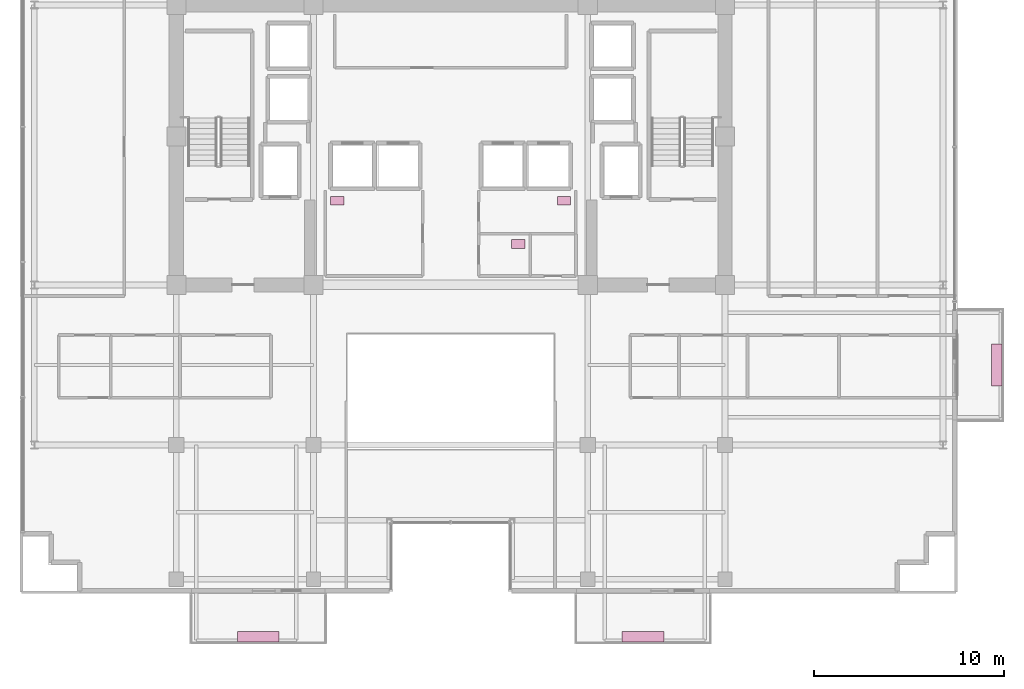
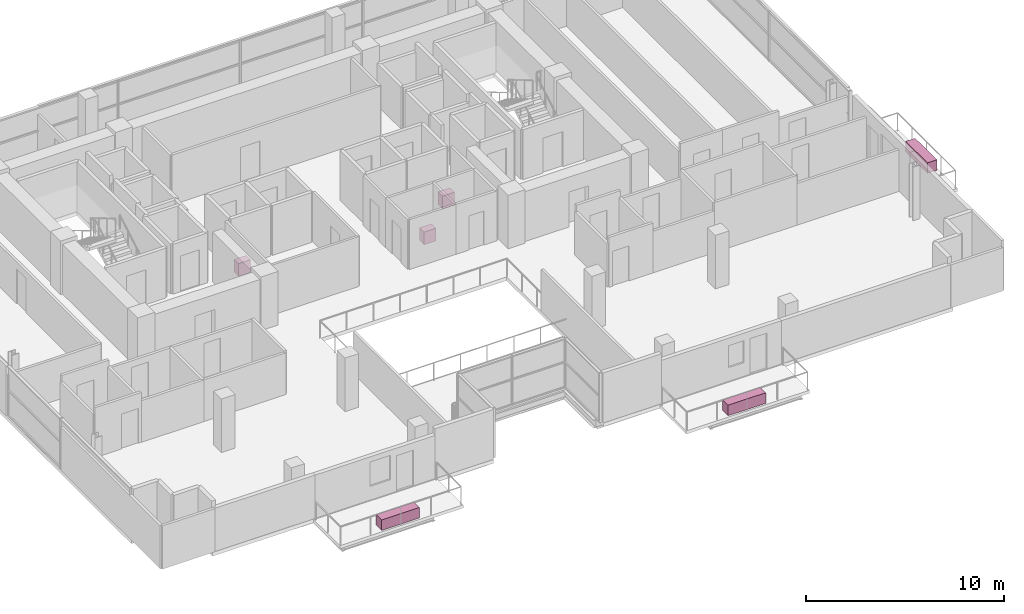
# One storey, part 21 of 21: 6 furnishings.
"""IFC4 building model written with IfcOpenShell, lengths in metres."""

import ifcopenshell
import ifcopenshell.guid

model = None  # the IFC model being written
_history = None  # IfcOwnerHistory: only IFC2X3 demands one
_inside = {}  # id of a spatial element -> (the spatial element, [elements in it])
_under = {}  # id of a project, library or spatial element -> (it, [spatial elements below it])
_declared = {}  # id of a project -> (the project, [libraries it declares])
_typed = {}  # id of a type object -> (the type object, [elements of that type])
_made_of = {}  # id of a material, layer set ... -> (it, [elements and type objects made of it])


def new_model(schema):
    """Start an empty IFC model of exactly this schema.

    Asked for "IFC4X3", IfcOpenShell would pick the latest addendum, in which some entities
    have other attributes; the version numbers below select the first issue.
    IFC2X3 requires an IfcOwnerHistory on every rooted entity: one is made here for all.
    """
    global model, _history
    if schema == "IFC4X3":
        model = ifcopenshell.file(schema_version=(4, 3, 0, 0))
    else:
        model = ifcopenshell.file(schema=schema)
    _inside.clear()
    _under.clear()
    _declared.clear()
    _typed.clear()
    _made_of.clear()
    _history = None
    if model.schema == "IFC2X3":
        org = make("IfcOrganization", Name="unknown")
        user = make(
            "IfcPersonAndOrganization",
            ThePerson=make("IfcPerson", FamilyName="unknown"),
            TheOrganization=org,
        )
        app = make(
            "IfcApplication",
            ApplicationDeveloper=org,
            Version="unknown",
            ApplicationFullName="unknown",
            ApplicationIdentifier="unknown",
        )
        _history = make(
            "IfcOwnerHistory",
            OwningUser=user,
            OwningApplication=app,
            ChangeAction="ADDED",
            CreationDate=0,
        )
    return model


def make(cls, **values):
    """One entity of the class cls with the attributes given. An attribute that is None is left unset."""
    return model.create_entity(
        cls, **{name: value for name, value in values.items() if value is not None}
    )


def rooted(cls, **values):
    """An entity with a GlobalId (a new one), such as an element, a storey or a relation."""
    return make(cls, GlobalId=ifcopenshell.guid.new(), OwnerHistory=_history, **values)


def si_unit(unit_type, name, prefix=None):
    """IfcSIUnit, for example si_unit("LENGTHUNIT", "METRE", prefix="MILLI")."""
    return make("IfcSIUnit", UnitType=unit_type, Prefix=prefix, Name=name)


def assignment(units):
    """IfcUnitAssignment: the units of a project."""
    return None if units is None else make("IfcUnitAssignment", Units=units)


def point(xyz):
    """IfcCartesianPoint."""
    return None if xyz is None else make("IfcCartesianPoint", Coordinates=xyz)


def direction(xyz):
    """IfcDirection."""
    return None if xyz is None else make("IfcDirection", DirectionRatios=xyz)


def frame(location, z_axis=None, x_axis=None):
    """IfcAxis2Placement3D, a coordinate frame: its origin and axes. An axis left out is left unset."""
    return make(
        "IfcAxis2Placement3D",
        Location=point(location),
        Axis=direction(z_axis),
        RefDirection=direction(x_axis),
    )


def frame_2d(location, x_axis=None):
    """IfcAxis2Placement2D, a coordinate frame in the plane: its origin and x axis."""
    return make(
        "IfcAxis2Placement2D", Location=point(location), RefDirection=direction(x_axis)
    )


def origin():
    """The frame at (0, 0, 0) with its axes left unset."""
    return frame((0.0, 0.0, 0.0))


def origin_2d():
    """The frame at (0, 0) in the plane with its x axis left unset."""
    return frame_2d((0.0, 0.0))


def place(relative_to, where):
    """IfcLocalPlacement: puts the frame where relative to a parent placement (None: the world)."""
    return make(
        "IfcLocalPlacement", PlacementRelTo=relative_to, RelativePlacement=where
    )


def context(
    kind, dimensions, precision=None, world=None, true_north=None, identifier=None
):
    """IfcGeometricRepresentationContext, for example the 3D "Model" context."""
    return make(
        "IfcGeometricRepresentationContext",
        ContextIdentifier=identifier,
        ContextType=kind,
        CoordinateSpaceDimension=dimensions,
        Precision=precision,
        WorldCoordinateSystem=world,
        TrueNorth=true_north,
    )


def subcontext(parent, identifier, kind, view, scale=None):
    """IfcGeometricRepresentationSubContext, for example "Body" below "Model"."""
    return make(
        "IfcGeometricRepresentationSubContext",
        ContextIdentifier=identifier,
        ContextType=kind,
        ParentContext=parent,
        TargetScale=scale,
        TargetView=view,
    )


def project(units=None, contexts=None):
    """IfcProject with its units and contexts."""
    return rooted(
        "IfcProject",
        Name="project",
        RepresentationContexts=contexts,
        UnitsInContext=assignment(units),
    )


def spatial(cls, under=None, at=None, **own):
    """A site, building, storey or space (cls), placed at a placement, below another one or the project."""
    s = rooted(cls, ObjectPlacement=at, **own)
    if under is not None:
        _under.setdefault(under.id(), (under, []))[1].append(s)
    return s


def profile(cls, at=None, kind="AREA", **sizes):
    """A parametric profile (cls). Its sizes go by their IFC names, for example OverallWidth=200.0."""
    return make(cls, ProfileType=kind, Position=at, **sizes)


def rectangle(**sizes):
    """IfcRectangleProfileDef."""
    return profile("IfcRectangleProfileDef", **sizes)


def extrude(swept, where, along, depth):
    """IfcExtrudedAreaSolid: the profile swept, set in the frame where, extruded along a direction by depth."""
    return make(
        "IfcExtrudedAreaSolid",
        SweptArea=swept,
        Position=where,
        ExtrudedDirection=direction(along),
        Depth=depth,
    )


def shape(context_of_items, identifier, shape_type, items):
    """IfcShapeRepresentation: the items that make up one representation, for example the "Body"."""
    return make(
        "IfcShapeRepresentation",
        ContextOfItems=context_of_items,
        RepresentationIdentifier=identifier,
        RepresentationType=shape_type,
        Items=items,
    )


def source(mapping_origin, context_of_items, identifier, shape_type, items):
    """IfcRepresentationMap: a shape defined once, which mapped items show again and again."""
    return make(
        "IfcRepresentationMap",
        MappingOrigin=mapping_origin,
        MappedRepresentation=shape(context_of_items, identifier, shape_type, items),
    )


def transform(
    local_origin,
    x_axis=None,
    y_axis=None,
    z_axis=None,
    scale=None,
    scale2=None,
    scale3=None,
    uniform=True,
):
    """IfcCartesianTransformationOperator3D, or its non-uniform kind. x_axis, y_axis, z_axis: its Axis1, 2, 3."""
    if uniform:
        return make(
            "IfcCartesianTransformationOperator3D",
            Axis1=direction(x_axis),
            Axis2=direction(y_axis),
            LocalOrigin=point(local_origin),
            Scale=scale,
            Axis3=direction(z_axis),
        )
    return make(
        "IfcCartesianTransformationOperator3DnonUniform",
        Axis1=direction(x_axis),
        Axis2=direction(y_axis),
        LocalOrigin=point(local_origin),
        Scale=scale,
        Axis3=direction(z_axis),
        Scale2=scale2,
        Scale3=scale3,
    )


def mapped(mapping_source, mapping_target):
    """IfcMappedItem: shows the shape of a source again, moved by a transform."""
    return make(
        "IfcMappedItem", MappingSource=mapping_source, MappingTarget=mapping_target
    )


def material(Name=None, Category=None):
    """IfcMaterial."""
    return make("IfcMaterial", Name=Name, Category=Category)


def made_of(thing, what):
    """Note that an element or type object is made of a material, layer set ...; save() writes the relation."""
    if what is not None:
        _made_of.setdefault(what.id(), (what, []))[1].append(thing)
    return thing


def type_object(cls, material=None, **own):
    """A type object (cls), such as IfcWallType, which elements share."""
    return made_of(rooted(cls, **own), material)


def element(
    cls,
    number,
    at=None,
    inside=None,
    cuts=None,
    type_object=None,
    material=None,
    context=None,
    identifier="Body",
    shape_type=None,
    held_by="IfcProductDefinitionShape",
    body=None,
    shapes=None,
    **own,
):
    """One element of the class cls, such as IfcWall. Its Tag is "e" and its number.

    at: its placement. inside: the storey or other place that contains it. cuts: it is an
    opening in that element (IfcRelVoidsElement). A single representation is given by context,
    identifier, shape_type and body (its items); several are given by shapes. held_by: the class
    of the entity that holds the representations. save() writes the other relations.
    """
    e = rooted(cls, Tag="e%d" % number, ObjectPlacement=at, **own)
    if body is not None:
        shapes = [shape(context, identifier, shape_type, body)]
    if shapes is not None:
        e.Representation = make(held_by, Representations=shapes)
    if inside is not None:
        _inside.setdefault(inside.id(), (inside, []))[1].append(e)
    if cuts is not None:
        rooted(
            "IfcRelVoidsElement", RelatingBuildingElement=cuts, RelatedOpeningElement=e
        )
    if type_object is not None:
        _typed.setdefault(type_object.id(), (type_object, []))[1].append(e)
    return made_of(e, material)


def aggregate(whole, parts):
    """IfcRelAggregates: a whole, such as a stair, and the parts it consists of."""
    return rooted("IfcRelAggregates", RelatingObject=whole, RelatedObjects=parts)


def save(model, path):
    """Write the relations noted so far, then the file.

    IfcRelAggregates (storeys below a building ...), IfcRelContainedInSpatialStructure (elements
    in a storey), IfcRelDefinesByType, IfcRelAssociatesMaterial and IfcRelDeclares: one each for
    every whole, place, type object, material and project.
    """
    for whole, parts in _under.values():
        aggregate(whole, parts)
    for where, things in _inside.values():
        rooted(
            "IfcRelContainedInSpatialStructure",
            RelatedElements=things,
            RelatingStructure=where,
        )
    for kind, things in _typed.values():
        rooted("IfcRelDefinesByType", RelatedObjects=things, RelatingType=kind)
    for what, things in _made_of.values():
        rooted("IfcRelAssociatesMaterial", RelatedObjects=things, RelatingMaterial=what)
    for by, libraries in _declared.values():
        rooted("IfcRelDeclares", RelatingContext=by, RelatedDefinitions=libraries)
    model.write(path)


model = new_model("IFC4")

# Units and contexts
model_context = context("Model", 3, precision=1e-05, world=origin(), true_north=direction((0.0, 1.0)))
body_context = subcontext(model_context, "Body", "Model", "MODEL_VIEW")
ifc_project = project(units=[si_unit("LENGTHUNIT", "METRE"), si_unit("AREAUNIT", "SQUARE_METRE"), si_unit("VOLUMEUNIT", "CUBIC_METRE"), si_unit("PLANEANGLEUNIT", "RADIAN"), si_unit("MASSUNIT", "GRAM", prefix="KILO")], contexts=[model_context])

# Site, building, storey
site_placement = place(None, origin())
site = spatial("IfcSite", under=ifc_project, at=site_placement, CompositionType="ELEMENT")
building_placement = place(site_placement, origin())
building = spatial("IfcBuilding", under=site, at=building_placement, Name="Zarnakvel Exchange Tower", CompositionType="ELEMENT")
storey_placement = place(building_placement, frame((0.0, 0.0, 182.5)))
storey = spatial("IfcBuildingStorey", under=building, at=storey_placement, Name="L51", CompositionType="ELEMENT", Elevation=182.5)

# Furnishings
ifc_material_1 = material(Name="Architectural Bronze Anodised Aluminium", Category="aluminium")
furnishing_element_type_1 = type_object("IfcFurnishingElementType", Name="PLNT-01", material=ifc_material_1)
shared_shape_1 = source(origin(), body_context, "Body", "SweptSolid", [
    extrude(rectangle(XDim=2.199951171875, YDim=0.550048828125, at=origin_2d()), origin(), (0.0, 0.0, 1.0), 0.64990234375),
])
for number, where, z_axis, x_axis, name in (
    (1, (-10.10009765625, -19.669921875, -0.034912109375), (0.0, 0.0, 1.0), (1.0, 0.0, 0.0), "L51 Balcony Greenery Planter BAL-L51-SW"),
    (2, (10.10009765625, -19.669921875, -0.034912109375), (0.0, 0.0, 1.0), (1.0, 0.0, 0.0), "L51 Balcony Greenery Planter BAL-L51-SE"),
    (3, (28.669921875, -5.39990234375, -0.034912109375), (0.0, 0.0, 1.0), (0.0, 1.0, 0.0), "L51 Balcony Greenery Planter BAL-L51-E"),
):
    element("IfcFurnishingElement", number, at=place(storey_placement, frame(where, z_axis=z_axis, x_axis=x_axis)), inside=storey, type_object=furnishing_element_type_1, Name=name, ObjectType="PLANTER", context=body_context, shape_type="MappedRepresentation", body=[
        mapped(shared_shape_1, transform((0.0, 0.0, 0.0), x_axis=(1.0, 0.0, 0.0), y_axis=(0.0, 1.0, 0.0), z_axis=(0.0, 0.0, 1.0), scale=1.0)),
    ])
ifc_material_2 = material(Name="Vitreous China Sanitaryware", Category="ceramic")
furnishing_element_type_2 = type_object("IfcFurnishingElementType", Name="SAN-WC", material=ifc_material_2)
shared_shape_2 = source(origin(), body_context, "Body", "SweptSolid", [
    extrude(rectangle(XDim=0.699951171875, YDim=0.449951171875, at=origin_2d()), origin(), (0.0, 0.0, 1.0), 0.780029296875),
])
for number, where, z_axis, x_axis, name in (
    (4, (-5.949951171875, 3.22998046875, 0.0), (0.0, 0.0, 1.0), (1.0, 0.0, 0.0), "L51 Sanitary Fixture (Male Toilet)"),
    (5, (5.949951171875, 3.22998046875, 0.0), (0.0, 0.0, 1.0), (1.0, 0.0, 0.0), "L51 Sanitary Fixture (Female Toilet)"),
    (6, (3.550048828125, 0.949951171875, 0.0), (0.0, 0.0, 1.0), (1.0, 0.0, 0.0), "L51 Sanitary Fixture (Accessible Toilet)"),
):
    element("IfcFurnishingElement", number, at=place(storey_placement, frame(where, z_axis=z_axis, x_axis=x_axis)), inside=storey, type_object=furnishing_element_type_2, Name=name, ObjectType="SANITARY_FIXTURE", context=body_context, shape_type="MappedRepresentation", body=[
        mapped(shared_shape_2, transform((0.0, 0.0, 0.0), x_axis=(1.0, 0.0, 0.0), y_axis=(0.0, 1.0, 0.0), z_axis=(0.0, 0.0, 1.0), scale=1.0)),
    ])

save(model, "model.ifc")
